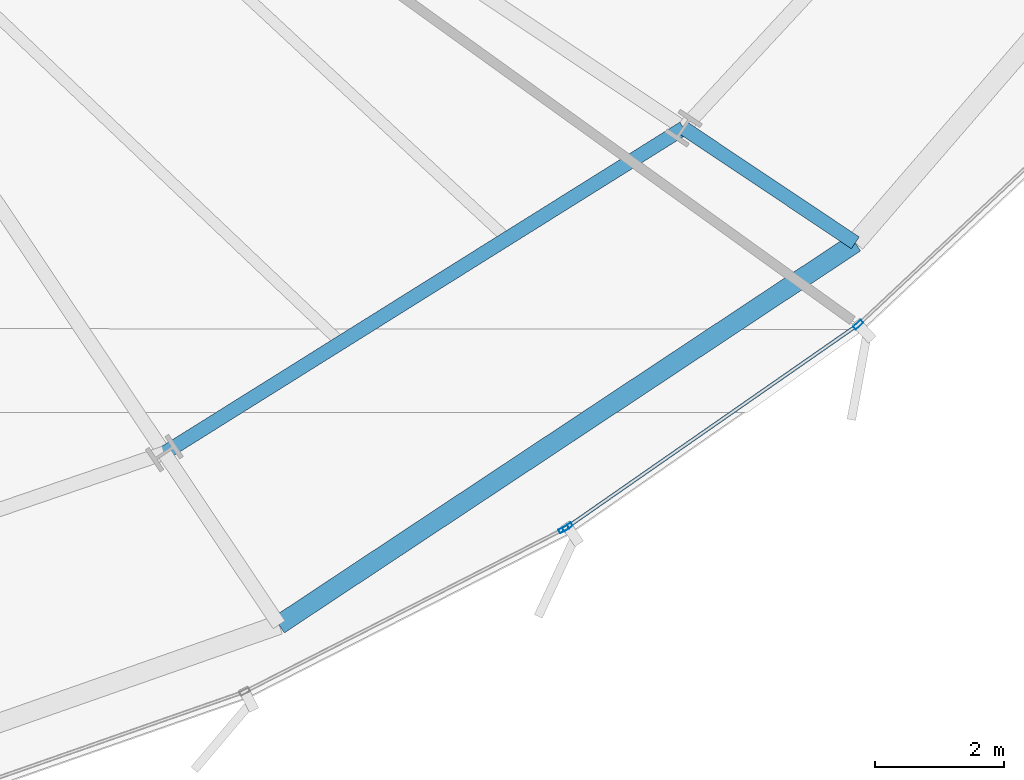
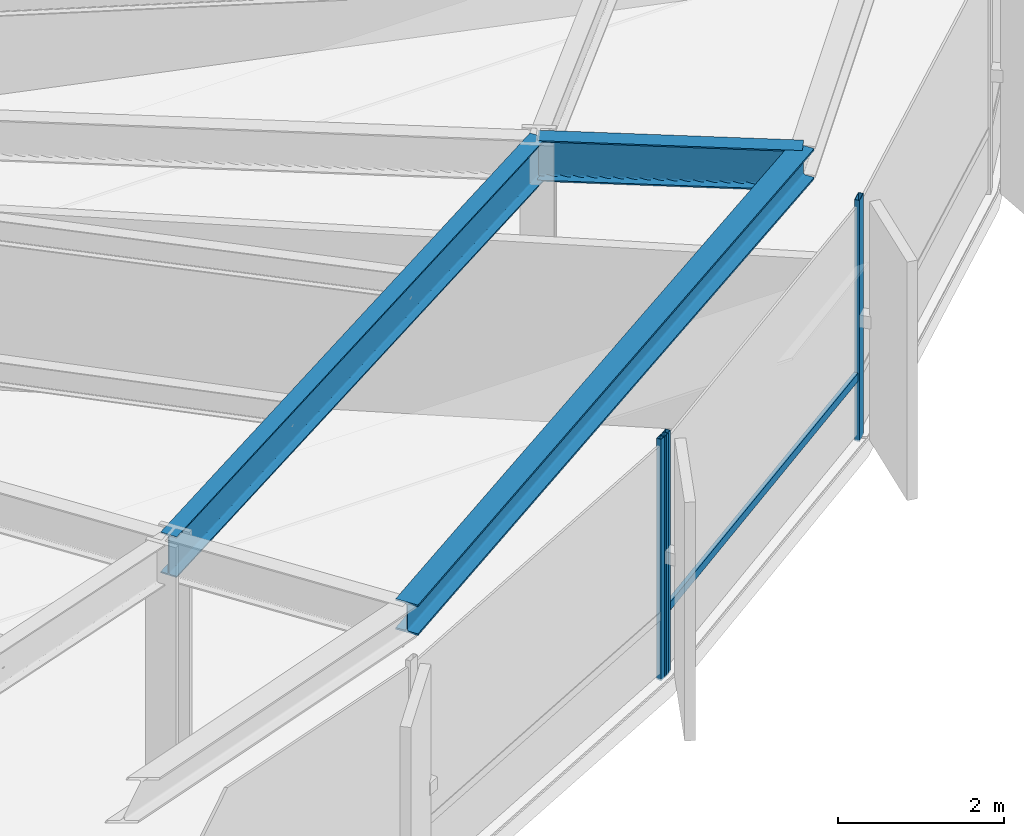
# One storey, part 13 of 37: 4 members, 3 beams, 2 elements without a shape of their own.
"""IFC4 building model written with IfcOpenShell, lengths in metres."""

from ifc_helpers import new_model, si_unit, direction, frame, origin, origin_2d, place, context, subcontext, project, spatial, hollow_rectangle, i_section, extrude, source, transform, mapped, material, layer, layer_set, material_profile, profile_set, type_object, element, aggregate, save


model = new_model("IFC4")

# Units and contexts
model_context = context("Model", 3, precision=1e-05, world=origin(), true_north=direction((0.0, 1.0)))
body_context = subcontext(model_context, "Body", "Model", "MODEL_VIEW")
ifc_project = project(units=[si_unit("LENGTHUNIT", "METRE"), si_unit("AREAUNIT", "SQUARE_METRE"), si_unit("VOLUMEUNIT", "CUBIC_METRE"), si_unit("PLANEANGLEUNIT", "RADIAN"), si_unit("MASSUNIT", "GRAM", prefix="KILO"), si_unit("THERMODYNAMICTEMPERATUREUNIT", "KELVIN")], contexts=[model_context])

# Site, building, storey
site_placement = place(None, origin())
site = spatial("IfcSite", under=ifc_project, at=site_placement, CompositionType="ELEMENT")
building_placement = place(site_placement, origin())
building = spatial("IfcBuilding", under=site, at=building_placement, Name="Kethvar Cultural Tower", CompositionType="ELEMENT")
storey_placement = place(building_placement, frame((0.0, 0.0, 60.0)))
storey = spatial("IfcBuildingStorey", under=building, at=storey_placement, Name="L14", CompositionType="ELEMENT", Elevation=60.0)

# Beams
ifc_material_1 = material(Name="Steel S355J2", Category="steel")
ifc_material_profile_1 = material_profile(ifc_material_1, i_section(OverallWidth=0.219970703125, OverallDepth=0.60009765625, WebThickness=0.011962890625, FlangeThickness=0.01904296875, FilletRadius=0.02392578125, at=origin_2d()), Name="Steel S355J2 — IPE600")
ifc_profile_set_1 = profile_set([ifc_material_profile_1], Name="Steel S355J2 — IPE600")
beam_type_1 = type_object("IfcBeamType", Name="BM-IPE600", PredefinedType="BEAM", material=ifc_profile_set_1)
shared_shape_1 = source(origin(), body_context, "Body", "SweptSolid", [
    extrude(i_section(OverallWidth=0.219970703125, OverallDepth=0.60009765625, WebThickness=0.011962890625, FlangeThickness=0.01904296875, FilletRadius=0.02392578125, at=origin_2d()), origin(), (0.0, 0.0, 1.0), 3.19970703125),
])
beam_1_placement = place(storey_placement, frame((67.41845703125, 14.023193359375, 3.248046875), z_axis=(0.831498187863, -0.55552746429, 0.0), x_axis=(0.55552746429, 0.831498187863, 0.0)))
element("IfcBeam", 1, at=beam_1_placement, inside=storey, type_object=beam_type_1, Name="L14 Perimeter Cantilever Beam RC-15", PredefinedType="BEAM", context=body_context, shape_type="MappedRepresentation", body=[
    mapped(shared_shape_1, transform((0.0, 0.0, 0.0), scale=1.0)),
])
shared_shape_2 = source(origin(), body_context, "Body", "SweptSolid", [
    extrude(i_section(OverallWidth=0.219970703125, OverallDepth=0.60009765625, WebThickness=0.011962890625, FlangeThickness=0.01904296875, FilletRadius=0.02392578125, at=origin_2d()), origin(), (0.0, 0.0, 1.0), 9.493896484375),
])
beam_2_placement = place(storey_placement, frame((59.370361328125, 8.987060546875, 3.248046875), z_axis=(0.847710685997, 0.530458851228, 0.0), x_axis=(-0.530458851228, 0.847710685997, 0.0)))
element("IfcBeam", 2, at=beam_2_placement, inside=storey, type_object=beam_type_1, Name="L14 Column Ring Tie Beam CR-14", PredefinedType="BEAM", context=body_context, shape_type="MappedRepresentation", body=[
    mapped(shared_shape_2, transform((0.0, 0.0, 0.0), scale=1.0)),
])
ifc_material_profile_2 = material_profile(ifc_material_1, i_section(OverallWidth=0.300048828125, OverallDepth=0.449951171875, WebThickness=0.013916015625, FlangeThickness=0.02587890625, FilletRadius=0.027099609375, at=origin_2d()), Name="Steel S355J2 — HEB450")
ifc_profile_set_2 = profile_set([ifc_material_profile_2], Name="Steel S355J2 — HEB450")
beam_type_2 = type_object("IfcBeamType", Name="BM-SP450", PredefinedType="SPANDREL", material=ifc_profile_set_2)
shared_shape_3 = source(origin(), body_context, "Body", "SweptSolid", [
    extrude(i_section(OverallWidth=0.300048828125, OverallDepth=0.449951171875, WebThickness=0.013916015625, FlangeThickness=0.02587890625, FilletRadius=0.027099609375, at=origin_2d()), origin(), (0.0, 0.0, 1.0), 10.71435546875),
])
beam_3_placement = place(storey_placement, frame((61.148193359375, 6.326416015625, 3.322998046875), z_axis=(0.833544146731, 0.552452853599, 0.0), x_axis=(-0.552452853599, 0.833544146731, 0.0)))
element("IfcBeam", 3, at=beam_3_placement, inside=storey, type_object=beam_type_2, Name="L14 Perimeter Spandrel Beam SP-14", PredefinedType="SPANDREL", context=body_context, shape_type="MappedRepresentation", body=[
    mapped(shared_shape_3, transform((0.0, 0.0, 0.0), scale=1.0)),
])

# Curtain wall, member
ifc_material_2 = material(Name="Aluminium 6063-T6", Category="aluminium")
ifc_layer = layer(ifc_material_2, 0.179931640625, Name="Aluminium 6063-T6", Category="aluminium")
ifc_layer_set = layer_set([ifc_layer], Name="Aluminium 6063-T6 (180 mm)")
curtain_wall_type = type_object("IfcCurtainWallType", Name="CW-SYS-02-Z1", PredefinedType="NOTDEFINED", material=ifc_layer_set)
curtain_wall_1_placement = place(storey_placement, origin())
curtain_wall_1 = element("IfcCurtainWall", 4, at=curtain_wall_1_placement, inside=storey, type_object=curtain_wall_type, Name="L14 Curtain Wall Run 05", PredefinedType="NOTDEFINED")
ifc_material_profile_3 = material_profile(ifc_material_2, hollow_rectangle(XDim=0.06494140625, YDim=0.159912109375, WallThickness=0.0048828125, at=origin_2d()), Name="Aluminium 6063-T6 — RHS160x65x5")
ifc_profile_set_3 = profile_set([ifc_material_profile_3], Name="Aluminium 6063-T6 — RHS160x65x5")
member_type_1 = type_object("IfcMemberType", Name="CW-SYS-02-Z1-MUL", PredefinedType="MULLION", material=ifc_profile_set_3)
shared_shape_4 = source(origin(), body_context, "Body", "SweptSolid", [
    extrude(hollow_rectangle(XDim=0.06494140625, YDim=0.159912109375, WallThickness=0.0048828125, at=origin_2d()), origin(), (0.0, 0.0, 1.0), 3.550048828125),
])
member_1_placement = place(storey_placement, frame((65.561279296875, 7.809814453125, 0.0), z_axis=(0.0, 0.0, 1.0), x_axis=(-0.454146002799, 0.890927274328, 0.0)))
member_1 = element("IfcMember", 5, at=member_1_placement, type_object=member_type_1, Name="CW-L14-R05 Mullion 7", PredefinedType="MULLION", context=body_context, shape_type="MappedRepresentation", body=[
    mapped(shared_shape_4, transform((0.0, 0.0, 0.0), scale=1.0)),
])
aggregate(curtain_wall_1, [member_1])

# Curtain wall, members
curtain_wall_2_placement = place(storey_placement, origin())
curtain_wall_2 = element("IfcCurtainWall", 6, at=curtain_wall_2_placement, inside=storey, type_object=curtain_wall_type, Name="L14 Curtain Wall Run 06", PredefinedType="NOTDEFINED")
member_2_placement = place(storey_placement, frame((65.619384765625, 7.844482421875, 0.0), z_axis=(0.0, 0.0, 1.0), x_axis=(-0.571157768606, 0.820840303202, 0.0)))
member_2 = element("IfcMember", 7, at=member_2_placement, type_object=member_type_1, Name="CW-L14-R06 Mullion 1", PredefinedType="MULLION", context=body_context, shape_type="MappedRepresentation", body=[
    mapped(shared_shape_4, transform((0.0, 0.0, 0.0), scale=1.0)),
])
member_3_placement = place(storey_placement, frame((70.124267578125, 10.977783203125, 0.0), z_axis=(0.0, 0.0, 1.0), x_axis=(-0.683413942181, 0.730031084018, 0.0)))
member_3 = element("IfcMember", 8, at=member_3_placement, type_object=member_type_1, Name="CW-L14-R06 Mullion 2", PredefinedType="MULLION", context=body_context, shape_type="MappedRepresentation", body=[
    mapped(shared_shape_4, transform((0.0, 0.0, 0.0), scale=1.0)),
])
ifc_material_profile_4 = material_profile(ifc_material_2, hollow_rectangle(XDim=0.054931640625, YDim=0.1201171875, WallThickness=0.00390625, at=origin_2d()), Name="Aluminium 6063-T6 — RHS120x55x4")
ifc_profile_set_4 = profile_set([ifc_material_profile_4], Name="Aluminium 6063-T6 — RHS120x55x4")
member_type_2 = type_object("IfcMemberType", Name="CW-SYS-02-Z1-TRN", PredefinedType="USERDEFINED", material=ifc_profile_set_4)
shared_shape_5 = source(origin(), body_context, "Body", "SweptSolid", [
    extrude(hollow_rectangle(XDim=0.054931640625, YDim=0.1201171875, WallThickness=0.00390625, at=origin_2d()), origin(), (0.0, 0.0, 1.0), 5.453125),
])
member_4_placement = place(storey_placement, frame((65.623291015625, 7.84716796875, 0.949951171875), z_axis=(0.820823066447, 0.571182539639, 0.0), x_axis=(-0.571182539639, 0.820823066447, 0.0)))
member_4 = element("IfcMember", 9, at=member_4_placement, type_object=member_type_2, Name="CW-L14-R06 Transom 1", ObjectType="TRANSOM", PredefinedType="USERDEFINED", context=body_context, shape_type="MappedRepresentation", body=[
    mapped(shared_shape_5, transform((0.0, 0.0, 0.0), scale=1.0)),
])
aggregate(curtain_wall_2, [member_2, member_3, member_4])

save(model, "model.ifc")
